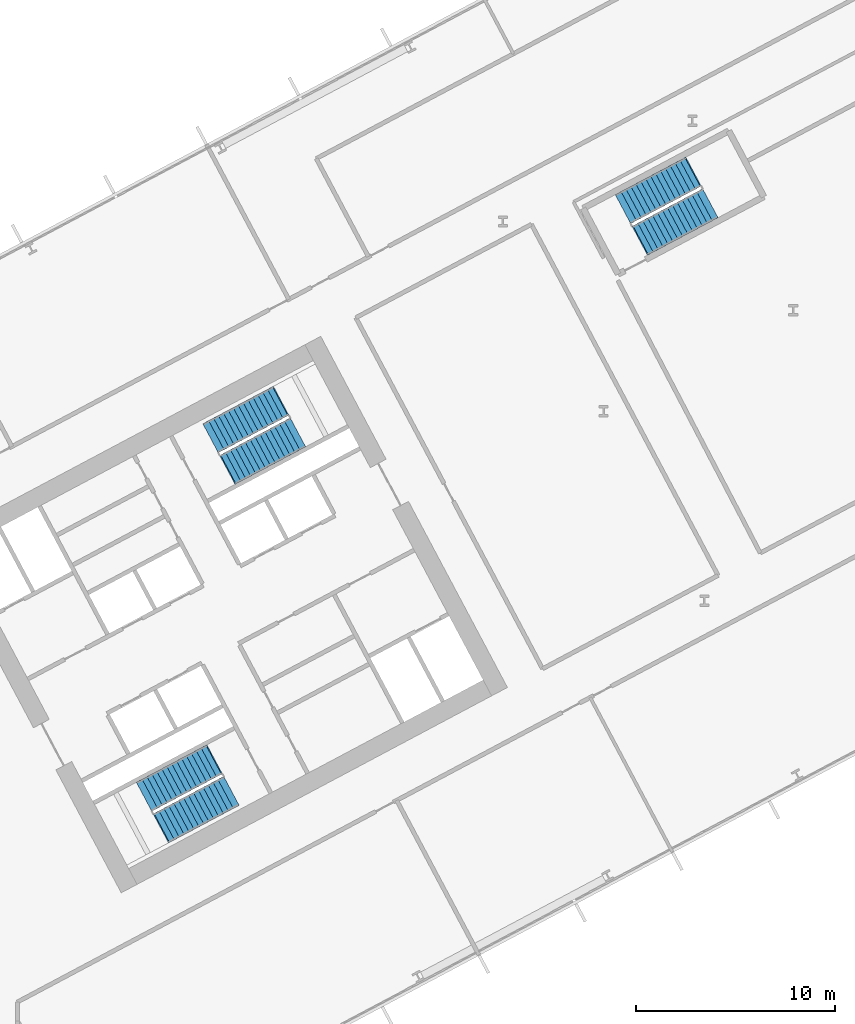
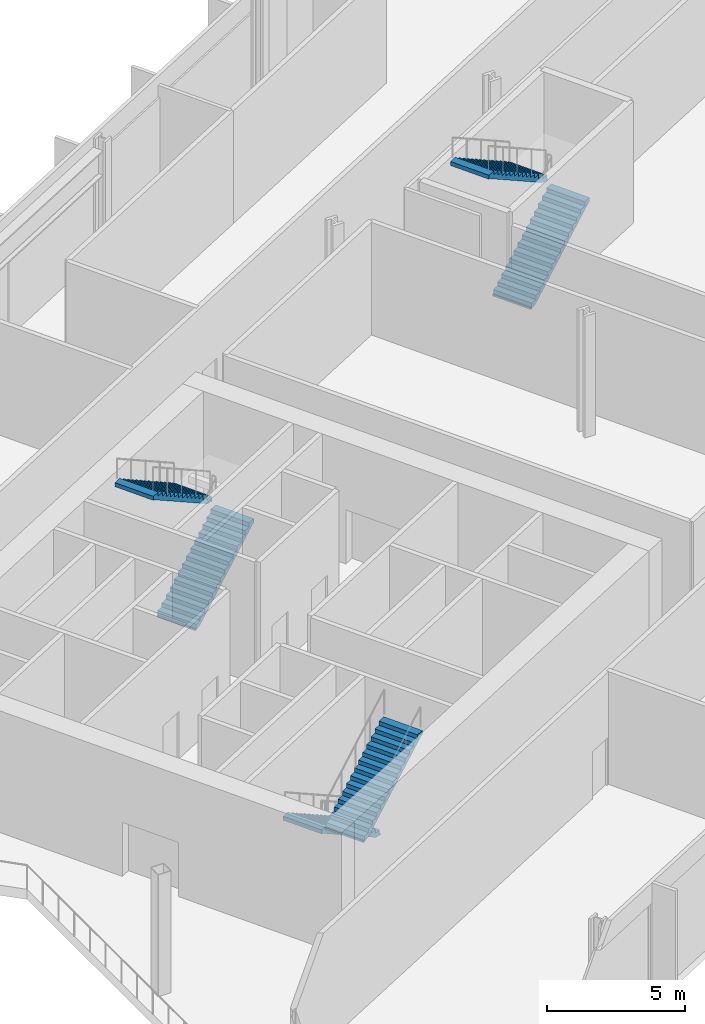
# One storey, part 19 of 32: 6 stair flights, 3 elements without a shape of their own.
"""IFC4 building model written with IfcOpenShell, lengths in metres."""

from ifc_helpers import new_model, si_unit, direction, frame, origin, place, context, subcontext, project, spatial, polyline, outline, extrude, material, type_object, element, aggregate, save


model = new_model("IFC4")

# Units and contexts
model_context = context("Model", 3, precision=1e-05, world=origin(), true_north=direction((0.0, 1.0)))
body_context = subcontext(model_context, "Body", "Model", "MODEL_VIEW")
ifc_project = project(units=[si_unit("LENGTHUNIT", "METRE"), si_unit("AREAUNIT", "SQUARE_METRE"), si_unit("VOLUMEUNIT", "CUBIC_METRE"), si_unit("PLANEANGLEUNIT", "RADIAN"), si_unit("MASSUNIT", "GRAM", prefix="KILO")], contexts=[model_context])

# Site, building, storey
site_placement = place(None, origin())
site = spatial("IfcSite", under=ifc_project, at=site_placement, CompositionType="ELEMENT")
building_placement = place(site_placement, origin())
building = spatial("IfcBuilding", under=site, at=building_placement, Name="Cormorant Relay Tower", CompositionType="ELEMENT")
storey_placement = place(building_placement, frame((0.0, 0.0, 60.800048828125)))
storey = spatial("IfcBuildingStorey", under=building, at=storey_placement, Name="L11", CompositionType="ELEMENT", Elevation=60.800048828125)

# Stair, stair flights
ifc_material_1 = material(Name="Concrete 40 MPa", Category="concrete")
stair_type = type_object("IfcStairType", Name="Exit stair 1500", PredefinedType="HALF_TURN_STAIR", material=ifc_material_1)
stair_1_placement = place(storey_placement, origin())
stair_1 = element("IfcStair", 1, at=stair_1_placement, inside=storey, type_object=stair_type, Name="L11 Stair", PredefinedType="HALF_TURN_STAIR")
ifc_material_2 = material(Name="Concrete 40 MPa", Category="concrete")
stair_flight_type = type_object("IfcStairFlightType", Name="Exit stair flight 1650", PredefinedType="STRAIGHT", material=ifc_material_2)
stair_flight_1_placement = place(storey_placement, frame((23.474365234375, 5.374755859375, 0.0), z_axis=(0.0, 0.0, 1.0), x_axis=(-0.882947592859, -0.469471562786, 0.0)))
stair_flight_1 = element("IfcStairFlight", 2, at=stair_flight_1_placement, type_object=stair_flight_type, Name="B1 flight 1", NumberOfRisers=15, NumberOfTreads=14, PredefinedType="STRAIGHT", RiserHeight=0.18, TreadLength=0.28, context=body_context, shape_type="SweptSolid", body=[
    extrude(outline(polyline([(-0.050048828125, -0.080078125), (-0.050048828125, 0.0), (0.0, 0.0), (0.0, 0.179931640625), (0.280029296875, 0.179931640625), (0.280029296875, 0.360107421875), (0.56005859375, 0.360107421875), (0.56005859375, 0.5400390625), (0.840087890625, 0.5400390625), (0.840087890625, 0.719970703125), (1.1201171875, 0.719970703125), (1.1201171875, 0.89990234375), (1.39990234375, 0.89990234375), (1.39990234375, 1.080078125), (1.679931640625, 1.080078125), (1.679931640625, 1.260009765625), (1.9599609375, 1.260009765625), (1.9599609375, 1.43994140625), (2.239990234375, 1.43994140625), (2.239990234375, 1.6201171875), (2.52001953125, 1.6201171875), (2.52001953125, 1.800048828125), (2.800048828125, 1.800048828125), (2.800048828125, 1.97998046875), (3.080078125, 1.97998046875), (3.080078125, 2.159912109375), (3.360107421875, 2.159912109375), (3.360107421875, 2.340087890625), (3.639892578125, 2.340087890625), (3.639892578125, 2.52001953125), (3.919921875, 2.52001953125), (3.969970703125, 2.52001953125), (3.969970703125, 2.341796875), (3.919921875, 2.341796875), (0.277099609375, 0.0), (-0.050048828125, -0.080078125)])), frame((0.0, 0.824951171875, 0.0), z_axis=(0.0, -1.0, 0.0), x_axis=(1.0, 0.0, 0.0)), (0.0, 0.0, 1.0), 1.64990234375),
])
stair_flight_2_placement = place(storey_placement, frame((20.8583984375, 1.945068359375, 2.699951171875), z_axis=(0.0, 0.0, 1.0), x_axis=(0.882947592859, 0.469471562786, 0.0)))
stair_flight_2 = element("IfcStairFlight", 3, at=stair_flight_2_placement, type_object=stair_flight_type, Name="B1 flight 2", NumberOfRisers=15, NumberOfTreads=14, PredefinedType="STRAIGHT", RiserHeight=0.18, TreadLength=0.28, context=body_context, shape_type="SweptSolid", body=[
    extrude(outline(polyline([(-0.050048828125, -0.080078125), (-0.050048828125, 0.0), (0.0, 0.0), (0.0, 0.179931640625), (0.280029296875, 0.179931640625), (0.280029296875, 0.360107421875), (0.56005859375, 0.360107421875), (0.56005859375, 0.5400390625), (0.840087890625, 0.5400390625), (0.840087890625, 0.719970703125), (1.1201171875, 0.719970703125), (1.1201171875, 0.89990234375), (1.39990234375, 0.89990234375), (1.39990234375, 1.080078125), (1.679931640625, 1.080078125), (1.679931640625, 1.260009765625), (1.9599609375, 1.260009765625), (1.9599609375, 1.43994140625), (2.239990234375, 1.43994140625), (2.239990234375, 1.6201171875), (2.52001953125, 1.6201171875), (2.52001953125, 1.800048828125), (2.800048828125, 1.800048828125), (2.800048828125, 1.97998046875), (3.080078125, 1.97998046875), (3.080078125, 2.159912109375), (3.360107421875, 2.159912109375), (3.360107421875, 2.340087890625), (3.639892578125, 2.340087890625), (3.639892578125, 2.52001953125), (3.919921875, 2.52001953125), (3.969970703125, 2.52001953125), (3.969970703125, 2.341796875), (3.919921875, 2.341796875), (0.277099609375, 0.0), (-0.050048828125, -0.080078125)])), frame((0.0, 0.824951171875, 0.0), z_axis=(0.0, -1.0, 0.0), x_axis=(1.0, 0.0, 0.0)), (0.0, 0.0, 1.0), 1.64990234375),
])
aggregate(stair_1, [stair_flight_1, stair_flight_2])

stair_2_placement = place(storey_placement, origin())
stair_2 = element("IfcStair", 4, at=stair_2_placement, inside=storey, type_object=stair_type, Name="L11 Stair", PredefinedType="HALF_TURN_STAIR")
stair_flight_3_placement = place(storey_placement, frame((24.20458984375, 19.976806640625, 0.0), z_axis=(0.0, 0.0, 1.0), x_axis=(0.882947592859, 0.469471562786, 0.0)))
stair_flight_3 = element("IfcStairFlight", 5, at=stair_flight_3_placement, type_object=stair_flight_type, Name="B2 flight 1", NumberOfRisers=15, NumberOfTreads=14, PredefinedType="STRAIGHT", RiserHeight=0.18, TreadLength=0.28, context=body_context, shape_type="SweptSolid", body=[
    extrude(outline(polyline([(-0.050048828125, -0.080078125), (-0.050048828125, 0.0), (0.0, 0.0), (0.0, 0.179931640625), (0.280029296875, 0.179931640625), (0.280029296875, 0.360107421875), (0.56005859375, 0.360107421875), (0.56005859375, 0.5400390625), (0.840087890625, 0.5400390625), (0.840087890625, 0.719970703125), (1.1201171875, 0.719970703125), (1.1201171875, 0.89990234375), (1.39990234375, 0.89990234375), (1.39990234375, 1.080078125), (1.679931640625, 1.080078125), (1.679931640625, 1.260009765625), (1.9599609375, 1.260009765625), (1.9599609375, 1.43994140625), (2.239990234375, 1.43994140625), (2.239990234375, 1.6201171875), (2.52001953125, 1.6201171875), (2.52001953125, 1.800048828125), (2.800048828125, 1.800048828125), (2.800048828125, 1.97998046875), (3.080078125, 1.97998046875), (3.080078125, 2.159912109375), (3.360107421875, 2.159912109375), (3.360107421875, 2.340087890625), (3.639892578125, 2.340087890625), (3.639892578125, 2.52001953125), (3.919921875, 2.52001953125), (3.969970703125, 2.52001953125), (3.969970703125, 2.341796875), (3.919921875, 2.341796875), (0.277099609375, 0.0), (-0.050048828125, -0.080078125)])), frame((0.0, 0.824951171875, 0.0), z_axis=(0.0, -1.0, 0.0), x_axis=(1.0, 0.0, 0.0)), (0.0, 0.0, 1.0), 1.64990234375),
])
stair_flight_4_placement = place(storey_placement, frame((26.82080078125, 23.406494140625, 2.699951171875), z_axis=(0.0, 0.0, 1.0), x_axis=(-0.882947592859, -0.469471562786, 0.0)))
stair_flight_4 = element("IfcStairFlight", 6, at=stair_flight_4_placement, type_object=stair_flight_type, Name="B2 flight 2", NumberOfRisers=15, NumberOfTreads=14, PredefinedType="STRAIGHT", RiserHeight=0.18, TreadLength=0.28, context=body_context, shape_type="SweptSolid", body=[
    extrude(outline(polyline([(-0.050048828125, -0.080078125), (-0.050048828125, 0.0), (0.0, 0.0), (0.0, 0.179931640625), (0.280029296875, 0.179931640625), (0.280029296875, 0.360107421875), (0.56005859375, 0.360107421875), (0.56005859375, 0.5400390625), (0.840087890625, 0.5400390625), (0.840087890625, 0.719970703125), (1.1201171875, 0.719970703125), (1.1201171875, 0.89990234375), (1.39990234375, 0.89990234375), (1.39990234375, 1.080078125), (1.679931640625, 1.080078125), (1.679931640625, 1.260009765625), (1.9599609375, 1.260009765625), (1.9599609375, 1.43994140625), (2.239990234375, 1.43994140625), (2.239990234375, 1.6201171875), (2.52001953125, 1.6201171875), (2.52001953125, 1.800048828125), (2.800048828125, 1.800048828125), (2.800048828125, 1.97998046875), (3.080078125, 1.97998046875), (3.080078125, 2.159912109375), (3.360107421875, 2.159912109375), (3.360107421875, 2.340087890625), (3.639892578125, 2.340087890625), (3.639892578125, 2.52001953125), (3.919921875, 2.52001953125), (3.969970703125, 2.52001953125), (3.969970703125, 2.341796875), (3.919921875, 2.341796875), (0.277099609375, 0.0), (-0.050048828125, -0.080078125)])), frame((0.0, 0.824951171875, 0.0), z_axis=(0.0, -1.0, 0.0), x_axis=(1.0, 0.0, 0.0)), (0.0, 0.0, 1.0), 1.64990234375),
])
aggregate(stair_2, [stair_flight_3, stair_flight_4])

stair_3_placement = place(storey_placement, origin())
stair_3 = element("IfcStair", 7, at=stair_3_placement, inside=storey, type_object=stair_type, Name="L11 Stair", PredefinedType="HALF_TURN_STAIR")
stair_flight_5_placement = place(storey_placement, frame((44.947509765625, 31.502197265625, 0.0), z_axis=(0.0, 0.0, 1.0), x_axis=(0.882947502727, 0.4694717323, 0.0)))
stair_flight_5 = element("IfcStairFlight", 8, at=stair_flight_5_placement, type_object=stair_flight_type, Name="RB1 flight 1", NumberOfRisers=15, NumberOfTreads=14, PredefinedType="STRAIGHT", RiserHeight=0.18, TreadLength=0.28, context=body_context, shape_type="SweptSolid", body=[
    extrude(outline(polyline([(-0.050048828125, -0.080078125), (-0.050048828125, 0.0), (0.0, 0.0), (0.0, 0.179931640625), (0.280029296875, 0.179931640625), (0.280029296875, 0.360107421875), (0.56005859375, 0.360107421875), (0.56005859375, 0.5400390625), (0.840087890625, 0.5400390625), (0.840087890625, 0.719970703125), (1.1201171875, 0.719970703125), (1.1201171875, 0.89990234375), (1.39990234375, 0.89990234375), (1.39990234375, 1.080078125), (1.679931640625, 1.080078125), (1.679931640625, 1.260009765625), (1.9599609375, 1.260009765625), (1.9599609375, 1.43994140625), (2.239990234375, 1.43994140625), (2.239990234375, 1.6201171875), (2.52001953125, 1.6201171875), (2.52001953125, 1.800048828125), (2.800048828125, 1.800048828125), (2.800048828125, 1.97998046875), (3.080078125, 1.97998046875), (3.080078125, 2.159912109375), (3.360107421875, 2.159912109375), (3.360107421875, 2.340087890625), (3.639892578125, 2.340087890625), (3.639892578125, 2.52001953125), (3.919921875, 2.52001953125), (3.969970703125, 2.52001953125), (3.969970703125, 2.341796875), (3.919921875, 2.341796875), (0.277099609375, 0.0), (-0.050048828125, -0.080078125)])), frame((0.0, 0.824951171875, 0.0), z_axis=(0.0, -1.0, 0.0), x_axis=(1.0, 0.0, 0.0)), (0.0, 0.0, 1.0), 1.64990234375),
])
stair_flight_6_placement = place(storey_placement, frame((47.563720703125, 34.931640625, 2.699951171875), z_axis=(0.0, 0.0, 1.0), x_axis=(-0.882947502727, -0.4694717323, 0.0)))
stair_flight_6 = element("IfcStairFlight", 9, at=stair_flight_6_placement, type_object=stair_flight_type, Name="RB1 flight 2", NumberOfRisers=15, NumberOfTreads=14, PredefinedType="STRAIGHT", RiserHeight=0.18, TreadLength=0.28, context=body_context, shape_type="SweptSolid", body=[
    extrude(outline(polyline([(-0.050048828125, -0.080078125), (-0.050048828125, 0.0), (0.0, 0.0), (0.0, 0.179931640625), (0.280029296875, 0.179931640625), (0.280029296875, 0.360107421875), (0.56005859375, 0.360107421875), (0.56005859375, 0.5400390625), (0.840087890625, 0.5400390625), (0.840087890625, 0.719970703125), (1.1201171875, 0.719970703125), (1.1201171875, 0.89990234375), (1.39990234375, 0.89990234375), (1.39990234375, 1.080078125), (1.679931640625, 1.080078125), (1.679931640625, 1.260009765625), (1.9599609375, 1.260009765625), (1.9599609375, 1.43994140625), (2.239990234375, 1.43994140625), (2.239990234375, 1.6201171875), (2.52001953125, 1.6201171875), (2.52001953125, 1.800048828125), (2.800048828125, 1.800048828125), (2.800048828125, 1.97998046875), (3.080078125, 1.97998046875), (3.080078125, 2.159912109375), (3.360107421875, 2.159912109375), (3.360107421875, 2.340087890625), (3.639892578125, 2.340087890625), (3.639892578125, 2.52001953125), (3.919921875, 2.52001953125), (3.969970703125, 2.52001953125), (3.969970703125, 2.341796875), (3.919921875, 2.341796875), (0.277099609375, 0.0), (-0.050048828125, -0.080078125)])), frame((0.0, 0.824951171875, 0.0), z_axis=(0.0, -1.0, 0.0), x_axis=(1.0, 0.0, 0.0)), (0.0, 0.0, 1.0), 1.64990234375),
])
aggregate(stair_3, [stair_flight_5, stair_flight_6])

save(model, "model.ifc")
